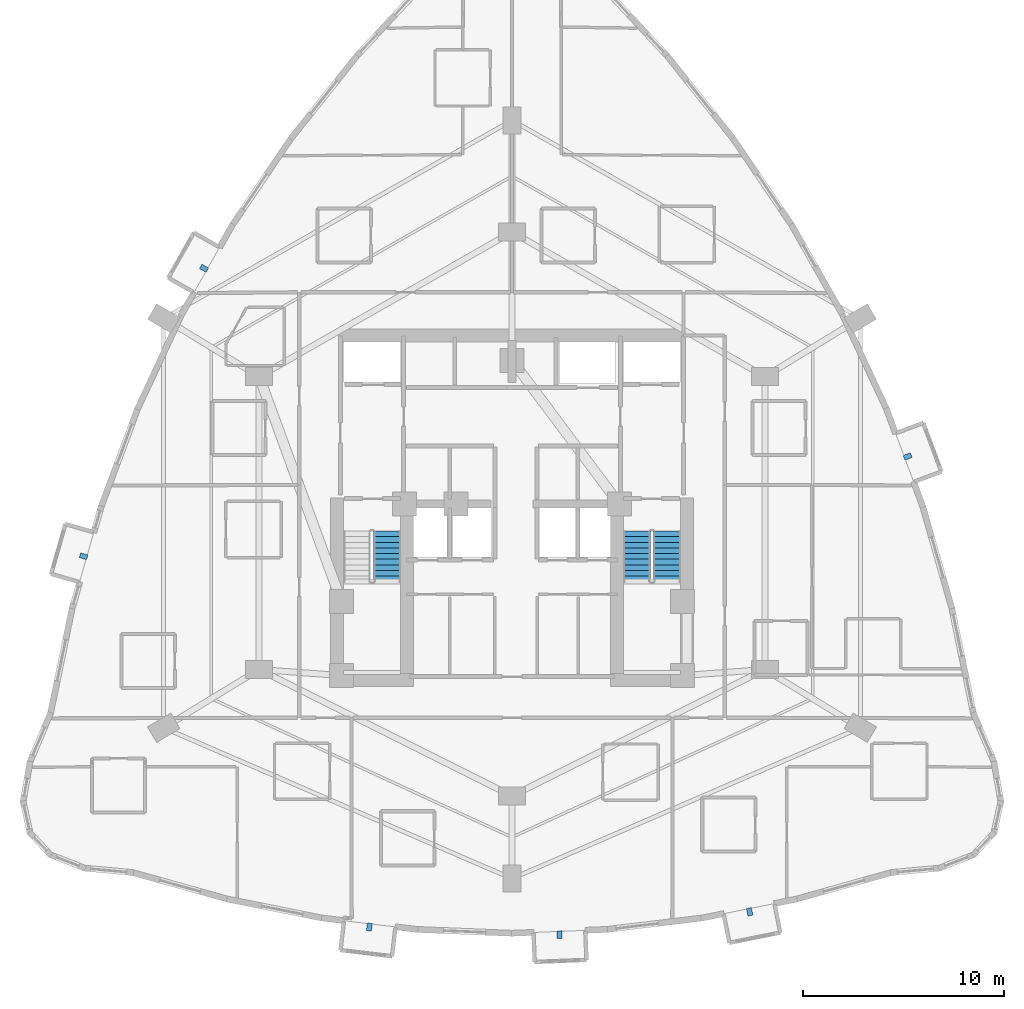
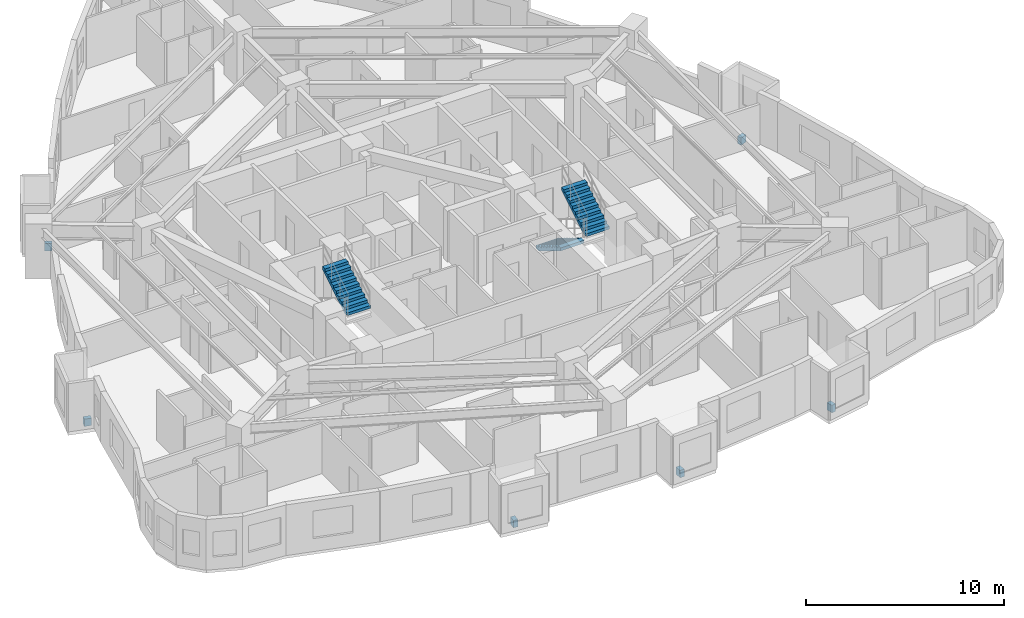
# One storey, part 12 of 13: 6 discrete accessories, 3 stair flights, 2 elements without a shape of their own.
"""IFC4 building model written with IfcOpenShell, lengths in metres."""

from ifc_helpers import new_model, si_unit, direction, frame, origin, origin_2d, place, context, subcontext, project, spatial, polyline, rectangle, outline, extrude, material, type_object, element, aggregate, save


model = new_model("IFC4")

# Units and contexts
model_context = context("Model", 3, precision=1e-05, world=origin(), true_north=direction((0.0, 1.0)))
body_context = subcontext(model_context, "Body", "Model", "MODEL_VIEW")
ifc_project = project(units=[si_unit("LENGTHUNIT", "METRE"), si_unit("AREAUNIT", "SQUARE_METRE"), si_unit("VOLUMEUNIT", "CUBIC_METRE"), si_unit("PLANEANGLEUNIT", "RADIAN"), si_unit("MASSUNIT", "GRAM", prefix="KILO")], contexts=[model_context])

# Site, building, storey
site_placement = place(None, origin())
site = spatial("IfcSite", under=ifc_project, at=site_placement, CompositionType="ELEMENT")
building_placement = place(site_placement, origin())
building = spatial("IfcBuilding", under=site, at=building_placement, Name="Miruveldt Soraemaru", CompositionType="ELEMENT")
storey_placement = place(building_placement, frame((0.0, 0.0, 70.0)))
storey = spatial("IfcBuildingStorey", under=building, at=storey_placement, Name="L19", CompositionType="ELEMENT", Elevation=70.0)

# Stair, stair flight
ifc_material_1 = material(Name="Concrete C40/50 (40 MPa)", Category="concrete")
stair_type = type_object("IfcStairType", Name="STAIR-DL-340", PredefinedType="HALF_TURN_STAIR", material=ifc_material_1)
stair_1_placement = place(storey_placement, origin())
stair_1 = element("IfcStair", 1, at=stair_1_placement, inside=storey, type_object=stair_type, Name="L19 Protected Exit Stair ST-1", PredefinedType="HALF_TURN_STAIR")
stair_flight_type = type_object("IfcStairFlightType", Name="SFL-DL-340", PredefinedType="STRAIGHT", material=ifc_material_1)
stair_flight_1_placement = place(storey_placement, frame((37.77490234375, 40.179931640625, 1.699951171875), z_axis=(0.0, 0.0, 1.0), x_axis=(0.0, 1.0, 0.0)))
stair_flight_1 = element("IfcStairFlight", 2, at=stair_flight_1_placement, type_object=stair_flight_type, Name="ST-1 flight 2", NumberOfRisers=10, NumberOfTreads=9, PredefinedType="STRAIGHT", RiserHeight=0.17, TreadLength=0.28, context=body_context, shape_type="SweptSolid", body=[
    extrude(outline(polyline([(0.0, 0.0), (0.0, 0.169921875), (0.280029296875, 0.169921875), (0.280029296875, 0.340087890625), (0.56005859375, 0.340087890625), (0.56005859375, 0.510009765625), (0.840087890625, 0.510009765625), (0.840087890625, 0.679931640625), (1.1201171875, 0.679931640625), (1.1201171875, 0.85009765625), (1.39990234375, 0.85009765625), (1.39990234375, 1.02001953125), (1.679931640625, 1.02001953125), (1.679931640625, 1.18994140625), (1.9599609375, 1.18994140625), (1.9599609375, 1.360107421875), (2.239990234375, 1.360107421875), (2.239990234375, 1.530029296875), (2.52001953125, 1.530029296875), (2.52001953125, 1.699951171875), (2.52001953125, 1.343017578125), (0.30810546875, 0.0), (0.0, 0.0)])), frame((0.0, 0.675048828125, 0.0), z_axis=(0.0, -1.0, 0.0), x_axis=(1.0, 0.0, 0.0)), (0.0, 0.0, 1.0), 1.35009765625),
])
aggregate(stair_1, [stair_flight_1])

# Stair, stair flights
stair_2_placement = place(storey_placement, origin())
stair_2 = element("IfcStair", 3, at=stair_2_placement, inside=storey, type_object=stair_type, Name="L19 Protected Exit Stair ST-2", PredefinedType="HALF_TURN_STAIR")
stair_flight_2_placement = place(storey_placement, frame((50.22509765625, 42.699951171875, 0.0), z_axis=(0.0, 0.0, 1.0), x_axis=(0.0, -1.0, 0.0)))
stair_flight_2 = element("IfcStairFlight", 4, at=stair_flight_2_placement, type_object=stair_flight_type, Name="ST-2 flight 1", NumberOfRisers=10, NumberOfTreads=9, PredefinedType="STRAIGHT", RiserHeight=0.17, TreadLength=0.28, context=body_context, shape_type="SweptSolid", body=[
    extrude(outline(polyline([(0.0, 0.0), (0.0, 0.169921875), (0.280029296875, 0.169921875), (0.280029296875, 0.340087890625), (0.56005859375, 0.340087890625), (0.56005859375, 0.510009765625), (0.840087890625, 0.510009765625), (0.840087890625, 0.679931640625), (1.1201171875, 0.679931640625), (1.1201171875, 0.85009765625), (1.39990234375, 0.85009765625), (1.39990234375, 1.02001953125), (1.679931640625, 1.02001953125), (1.679931640625, 1.18994140625), (1.9599609375, 1.18994140625), (1.9599609375, 1.360107421875), (2.239990234375, 1.360107421875), (2.239990234375, 1.530029296875), (2.52001953125, 1.530029296875), (2.52001953125, 1.699951171875), (2.52001953125, 1.343017578125), (0.30810546875, 0.0), (0.0, 0.0)])), frame((0.0, 0.675048828125, 0.0), z_axis=(0.0, -1.0, 0.0), x_axis=(1.0, 0.0, 0.0)), (0.0, 0.0, 1.0), 1.35009765625),
])
stair_flight_3_placement = place(storey_placement, frame((51.72509765625, 40.179931640625, 1.699951171875), z_axis=(0.0, 0.0, 1.0), x_axis=(0.0, 1.0, 0.0)))
stair_flight_3 = element("IfcStairFlight", 5, at=stair_flight_3_placement, type_object=stair_flight_type, Name="ST-2 flight 2", NumberOfRisers=10, NumberOfTreads=9, PredefinedType="STRAIGHT", RiserHeight=0.17, TreadLength=0.28, context=body_context, shape_type="SweptSolid", body=[
    extrude(outline(polyline([(0.0, 0.0), (0.0, 0.169921875), (0.280029296875, 0.169921875), (0.280029296875, 0.340087890625), (0.56005859375, 0.340087890625), (0.56005859375, 0.510009765625), (0.840087890625, 0.510009765625), (0.840087890625, 0.679931640625), (1.1201171875, 0.679931640625), (1.1201171875, 0.85009765625), (1.39990234375, 0.85009765625), (1.39990234375, 1.02001953125), (1.679931640625, 1.02001953125), (1.679931640625, 1.18994140625), (1.9599609375, 1.18994140625), (1.9599609375, 1.360107421875), (2.239990234375, 1.360107421875), (2.239990234375, 1.530029296875), (2.52001953125, 1.530029296875), (2.52001953125, 1.699951171875), (2.52001953125, 1.343017578125), (0.30810546875, 0.0), (0.0, 0.0)])), frame((0.0, 0.675048828125, 0.0), z_axis=(0.0, -1.0, 0.0), x_axis=(1.0, 0.0, 0.0)), (0.0, 0.0, 1.0), 1.35009765625),
])
aggregate(stair_2, [stair_flight_2, stair_flight_3])

# Discrete accessories
ifc_material_2 = material(Name="Steel SM355 (355 MPa)", Category="steel")
discrete_accessory_type = type_object("IfcDiscreteAccessoryType", Name="ACC-BAY-BRK", PredefinedType="BRACKET", material=ifc_material_2)
for number, where, z_axis, x_axis, name in (
    (6, (28.65380859375, 55.794921875, -0.72021484375), (0.0, 0.0, 1.0), (-0.869830943614, 0.493349905778, 0.0), "L19 Bay Window Cantilever Bracket 1"),
    (7, (22.651611328125, 41.44384765625, -0.72021484375), (0.0, 0.0, 1.0), (-0.961444294128, 0.274999762342, 0.0), "L19 Bay Window Cantilever Bracket 2"),
    (8, (36.893310546875, 22.97021484375, -0.72021484375), (0.0, 0.0, 1.0), (-0.119149147143, -0.992876367296, 0.0), "L19 Bay Window Cantilever Bracket 3"),
    (9, (46.368896484375, 22.591064453125, -0.72021484375), (0.0, 0.0, 1.0), (0.03997483895, -0.999200686675, 0.0), "L19 Bay Window Cantilever Bracket 4"),
    (10, (55.843994140625, 23.72802734375, -0.72021484375), (0.0, 0.0, 1.0), (0.196117290802, -0.980580444557, 0.0), "L19 Bay Window Cantilever Bracket 5"),
    (11, (63.71533203125, 46.416748046875, -0.72021484375), (0.0, 0.0, 1.0), (0.937117624721, 0.349013692334, 0.0), "L19 Bay Window Cantilever Bracket 6"),
):
    element("IfcDiscreteAccessory", number, at=place(storey_placement, frame(where, z_axis=z_axis, x_axis=x_axis)), inside=storey, type_object=discrete_accessory_type, Name=name, PredefinedType="BRACKET", context=body_context, shape_type="SweptSolid", body=[
        extrude(rectangle(XDim=0.3798828125, YDim=0.25, at=origin_2d()), origin(), (0.0, 0.0, 1.0), 0.449951171875),
    ])

save(model, "model.ifc")
